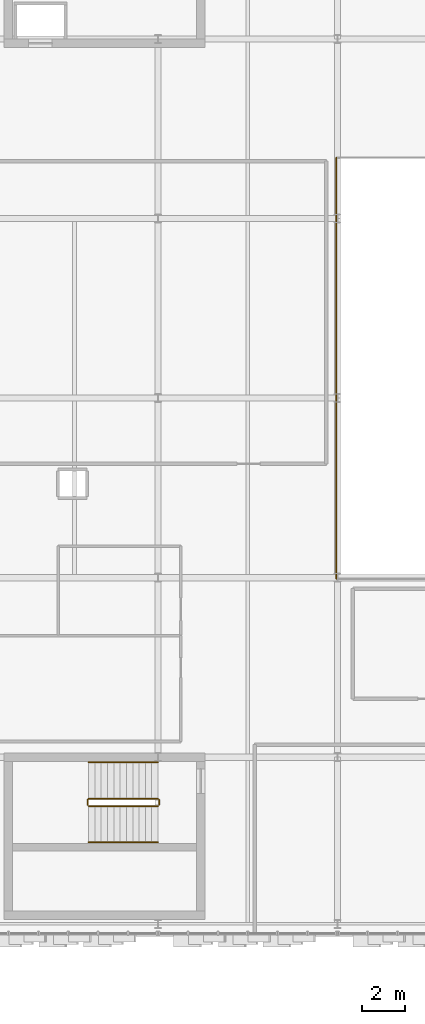
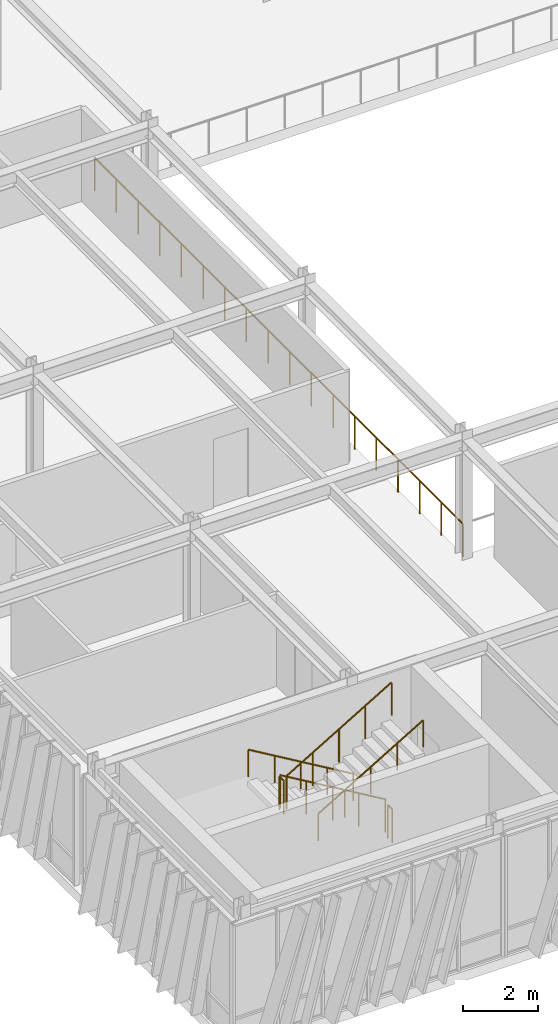
# One storey, part 120 of 127: 7 railings.
"""IFC4 building model written with IfcOpenShell, lengths in metres."""

from ifc_helpers import new_model, si_unit, direction, frame, origin, origin_2d, place, context, subcontext, project, spatial, circle, extrude, material, type_object, element, save


model = new_model("IFC4")

# Units and contexts
model_context = context("Model", 3, precision=1e-05, world=origin(), true_north=direction((0.0, 1.0)))
body_context = subcontext(model_context, "Body", "Model", "MODEL_VIEW")
ifc_project = project(units=[si_unit("LENGTHUNIT", "METRE"), si_unit("AREAUNIT", "SQUARE_METRE"), si_unit("VOLUMEUNIT", "CUBIC_METRE"), si_unit("PLANEANGLEUNIT", "RADIAN"), si_unit("MASSUNIT", "GRAM", prefix="KILO")], contexts=[model_context])

# Site, building, storey
site_placement = place(None, origin())
site = spatial("IfcSite", under=ifc_project, at=site_placement, CompositionType="ELEMENT")
building_placement = place(site_placement, origin())
building = spatial("IfcBuilding", under=site, at=building_placement, Name="Zayran Congress Hotel", CompositionType="ELEMENT")
storey_placement = place(building_placement, frame((0.0, 0.0, 10.800048828125)))
storey = spatial("IfcBuildingStorey", under=building, at=storey_placement, Name="L02", CompositionType="ELEMENT", Elevation=10.800048828125)

# Railings
ifc_material_1 = material(Name="Painted steel balustrade", Category="steel")
railing_type_1 = type_object("IfcRailingType", Name="TP-GRD-INT", PredefinedType="GUARDRAIL", material=ifc_material_1)
railing_1_placement = place(storey_placement, frame((16.800048828125, 74.050048828125, 0.175048828125)))
element("IfcRailing", 1, at=railing_1_placement, inside=storey, type_object=railing_type_1, Name="L02 ST-05 stair guard 1", PredefinedType="GUARDRAIL", context=body_context, shape_type="SweptSolid", body=[
    extrude(circle(Radius=0.02392578125, at=origin_2d()), frame((0.0, 0.0, 1.076171875), z_axis=(-0.860085452069, 0.0, 0.510149992786), x_axis=(0.0, -1.0, 0.0)), (0.0, 0.0, 1.0), 3.77294921875),
    extrude(circle(Radius=0.02099609375, at=origin_2d()), origin(), (0.0, 0.0, 1.0), 1.052001953125),
    extrude(circle(Radius=0.02099609375, at=origin_2d()), frame((-0.811279296875, 0.0, 0.481201171875)), (0.0, 0.0, 1.0), 1.052001953125),
    extrude(circle(Radius=0.02099609375, at=origin_2d()), frame((-1.62255859375, 0.0, 0.96240234375)), (0.0, 0.0, 1.0), 1.052001953125),
    extrude(circle(Radius=0.02099609375, at=origin_2d()), frame((-2.433837890625, 0.0, 1.443603515625)), (0.0, 0.0, 1.0), 1.052001953125),
    extrude(circle(Radius=0.02099609375, at=origin_2d()), frame((-3.2451171875, 0.0, 1.9248046875)), (0.0, 0.0, 1.0), 1.052001953125),
])
railing_2_placement = place(storey_placement, frame((13.5048828125, 74.0, 2.099853515625)))
element("IfcRailing", 2, at=railing_2_placement, inside=storey, type_object=railing_type_1, Name="L02 ST-05 stair guard 2", PredefinedType="GUARDRAIL", context=body_context, shape_type="SweptSolid", body=[
    extrude(circle(Radius=0.02392578125, at=origin_2d()), frame((0.0, 0.0, 1.076171875), z_axis=(0.0, -1.0, 0.0), x_axis=(1.0, 0.0, 0.0)), (0.0, 0.0, 1.0), 0.239990234375),
    extrude(circle(Radius=0.02099609375, at=origin_2d()), origin(), (0.0, 0.0, 1.0), 1.052001953125),
    extrude(circle(Radius=0.02099609375, at=origin_2d()), frame((0.0, -0.239990234375, 0.0)), (0.0, 0.0, 1.0), 1.052001953125),
])
railing_3_placement = place(storey_placement, frame((13.554931640625, 73.7099609375, 2.27490234375)))
element("IfcRailing", 3, at=railing_3_placement, inside=storey, type_object=railing_type_1, Name="L02 ST-05 stair guard 3", PredefinedType="GUARDRAIL", context=body_context, shape_type="SweptSolid", body=[
    extrude(circle(Radius=0.02392578125, at=origin_2d()), frame((0.0, 0.0, 1.076171875), z_axis=(0.860057060016, 0.0, 0.510197857224), x_axis=(0.0, 1.0, 0.0)), (0.0, 0.0, 1.0), 3.773193359375),
    extrude(circle(Radius=0.02099609375, at=origin_2d()), origin(), (0.0, 0.0, 1.0), 1.052001953125),
    extrude(circle(Radius=0.02099609375, at=origin_2d()), frame((0.811279296875, 0.0, 0.481201171875)), (0.0, 0.0, 1.0), 1.052001953125),
    extrude(circle(Radius=0.02099609375, at=origin_2d()), frame((1.62255859375, 0.0, 0.96240234375)), (0.0, 0.0, 1.0), 1.052001953125),
    extrude(circle(Radius=0.02099609375, at=origin_2d()), frame((2.433837890625, 0.0, 1.44384765625)), (0.0, 0.0, 1.0), 1.052001953125),
    extrude(circle(Radius=0.02099609375, at=origin_2d()), frame((3.2451171875, 0.0, 1.925048828125)), (0.0, 0.0, 1.0), 1.052001953125),
])
railing_4_placement = place(storey_placement, frame((16.85009765625, 74.0, 0.0)))
element("IfcRailing", 4, at=railing_4_placement, inside=storey, type_object=railing_type_1, Name="L02 ST-05 stair guard 4", PredefinedType="GUARDRAIL", context=body_context, shape_type="SweptSolid", body=[
    extrude(circle(Radius=0.02392578125, at=origin_2d()), frame((0.0, 0.0, 1.076171875), z_axis=(0.0, -1.0, 0.0), x_axis=(1.0, 0.0, 0.0)), (0.0, 0.0, 1.0), 0.239990234375),
    extrude(circle(Radius=0.02099609375, at=origin_2d()), origin(), (0.0, 0.0, 1.0), 1.052001953125),
    extrude(circle(Radius=0.02099609375, at=origin_2d()), frame((0.0, -0.239990234375, 0.0)), (0.0, 0.0, 1.0), 1.052001953125),
])
railing_5_placement = place(storey_placement, frame((25.14990234375, 104.050048828125, 0.0)))
element("IfcRailing", 5, at=railing_5_placement, inside=storey, type_object=railing_type_1, Name="V1 L02 Interior Void Guardrail V1-L02-AUD-W", PredefinedType="GUARDRAIL", context=body_context, shape_type="SweptSolid", body=[
    extrude(circle(Radius=0.02392578125, at=origin_2d()), frame((0.0, 0.0, 1.076171875), z_axis=(0.0, -1.0, 0.0), x_axis=(1.0, 0.0, 0.0)), (0.0, 0.0, 1.0), 19.699951171875),
    extrude(circle(Radius=0.02099609375, at=origin_2d()), origin(), (0.0, 0.0, 1.0), 1.052001953125),
    extrude(circle(Radius=0.02099609375, at=origin_2d()), frame((0.0, -1.158935546875, 0.0)), (0.0, 0.0, 1.0), 1.052001953125),
    extrude(circle(Radius=0.02099609375, at=origin_2d()), frame((0.0, -2.317626953125, 0.0)), (0.0, 0.0, 1.0), 1.052001953125),
    extrude(circle(Radius=0.02099609375, at=origin_2d()), frame((0.0, -3.4765625, 0.0)), (0.0, 0.0, 1.0), 1.052001953125),
    extrude(circle(Radius=0.02099609375, at=origin_2d()), frame((0.0, -4.63525390625, 0.0)), (0.0, 0.0, 1.0), 1.052001953125),
    extrude(circle(Radius=0.02099609375, at=origin_2d()), frame((0.0, -5.794189453125, 0.0)), (0.0, 0.0, 1.0), 1.052001953125),
    extrude(circle(Radius=0.02099609375, at=origin_2d()), frame((0.0, -6.952880859375, 0.0)), (0.0, 0.0, 1.0), 1.052001953125),
    extrude(circle(Radius=0.02099609375, at=origin_2d()), frame((0.0, -8.11181640625, 0.0)), (0.0, 0.0, 1.0), 1.052001953125),
    extrude(circle(Radius=0.02099609375, at=origin_2d()), frame((0.0, -9.2705078125, 0.0)), (0.0, 0.0, 1.0), 1.052001953125),
    extrude(circle(Radius=0.02099609375, at=origin_2d()), frame((0.0, -10.429443359375, 0.0)), (0.0, 0.0, 1.0), 1.052001953125),
    extrude(circle(Radius=0.02099609375, at=origin_2d()), frame((0.0, -11.588134765625, 0.0)), (0.0, 0.0, 1.0), 1.052001953125),
    extrude(circle(Radius=0.02099609375, at=origin_2d()), frame((0.0, -12.7470703125, 0.0)), (0.0, 0.0, 1.0), 1.052001953125),
    extrude(circle(Radius=0.02099609375, at=origin_2d()), frame((0.0, -13.90576171875, 0.0)), (0.0, 0.0, 1.0), 1.052001953125),
    extrude(circle(Radius=0.02099609375, at=origin_2d()), frame((0.0, -15.064697265625, 0.0)), (0.0, 0.0, 1.0), 1.052001953125),
    extrude(circle(Radius=0.02099609375, at=origin_2d()), frame((0.0, -16.223388671875, 0.0)), (0.0, 0.0, 1.0), 1.052001953125),
    extrude(circle(Radius=0.02099609375, at=origin_2d()), frame((0.0, -17.38232421875, 0.0)), (0.0, 0.0, 1.0), 1.052001953125),
    extrude(circle(Radius=0.02099609375, at=origin_2d()), frame((0.0, -18.541015625, 0.0)), (0.0, 0.0, 1.0), 1.052001953125),
    extrude(circle(Radius=0.02099609375, at=origin_2d()), frame((0.0, -19.699951171875, 0.0)), (0.0, 0.0, 1.0), 1.052001953125),
])
ifc_material_2 = material(Name="Brushed stainless steel handrail", Category="steel")
railing_type_2 = type_object("IfcRailingType", Name="TP-HND-STR", PredefinedType="HANDRAIL", material=ifc_material_2)
railing_6_placement = place(storey_placement, frame((16.800048828125, 75.75, 0.175048828125)))
element("IfcRailing", 6, at=railing_6_placement, inside=storey, type_object=railing_type_2, Name="L02 ST-05 stair handrail 1", PredefinedType="HANDRAIL", context=body_context, shape_type="SweptSolid", body=[
    extrude(circle(Radius=0.02392578125, at=origin_2d()), frame((0.0, 0.0, 0.8759765625), z_axis=(-0.860085452069, 0.0, 0.510149992786), x_axis=(0.0, -1.0, 0.0)), (0.0, 0.0, 1.0), 3.77294921875),
    extrude(circle(Radius=0.02099609375, at=origin_2d()), origin(), (0.0, 0.0, 1.0), 0.851806640625),
    extrude(circle(Radius=0.02099609375, at=origin_2d()), frame((-0.811279296875, 0.0, 0.481201171875)), (0.0, 0.0, 1.0), 0.851806640625),
    extrude(circle(Radius=0.02099609375, at=origin_2d()), frame((-1.62255859375, 0.0, 0.96240234375)), (0.0, 0.0, 1.0), 0.851806640625),
    extrude(circle(Radius=0.02099609375, at=origin_2d()), frame((-2.433837890625, 0.0, 1.443603515625)), (0.0, 0.0, 1.0), 0.851806640625),
    extrude(circle(Radius=0.02099609375, at=origin_2d()), frame((-3.2451171875, 0.0, 1.9248046875)), (0.0, 0.0, 1.0), 0.851806640625),
])
railing_7_placement = place(storey_placement, frame((13.554931640625, 72.010009765625, 2.27490234375)))
element("IfcRailing", 7, at=railing_7_placement, inside=storey, type_object=railing_type_2, Name="L02 ST-05 stair handrail 2", PredefinedType="HANDRAIL", context=body_context, shape_type="SweptSolid", body=[
    extrude(circle(Radius=0.02392578125, at=origin_2d()), frame((0.0, 0.0, 0.8759765625), z_axis=(0.860057060016, 0.0, 0.510197857224), x_axis=(0.0, 1.0, 0.0)), (0.0, 0.0, 1.0), 3.773193359375),
    extrude(circle(Radius=0.02099609375, at=origin_2d()), origin(), (0.0, 0.0, 1.0), 0.851806640625),
    extrude(circle(Radius=0.02099609375, at=origin_2d()), frame((0.811279296875, 0.0, 0.481201171875)), (0.0, 0.0, 1.0), 0.851806640625),
    extrude(circle(Radius=0.02099609375, at=origin_2d()), frame((1.62255859375, 0.0, 0.96240234375)), (0.0, 0.0, 1.0), 0.851806640625),
    extrude(circle(Radius=0.02099609375, at=origin_2d()), frame((2.433837890625, 0.0, 1.44384765625)), (0.0, 0.0, 1.0), 0.851806640625),
    extrude(circle(Radius=0.02099609375, at=origin_2d()), frame((3.2451171875, 0.0, 1.925048828125)), (0.0, 0.0, 1.0), 0.851806640625),
])

save(model, "model.ifc")
